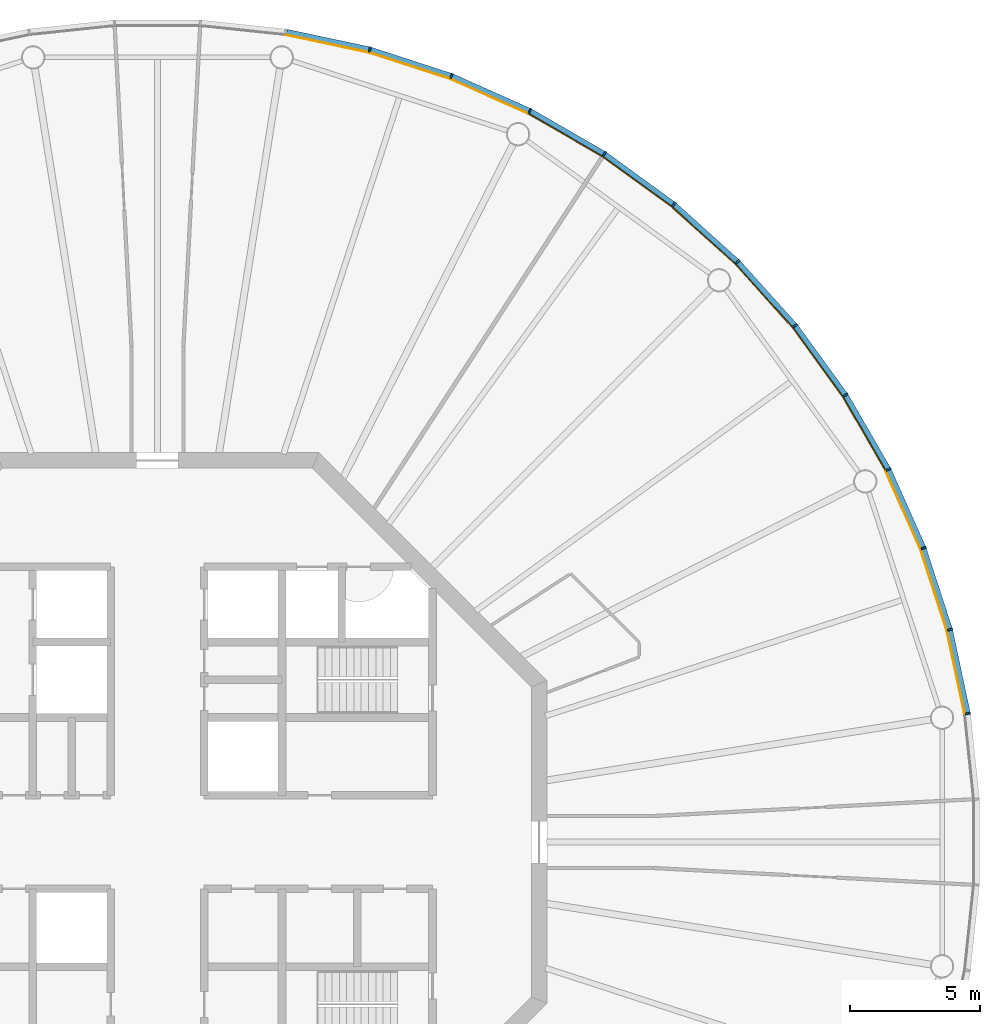
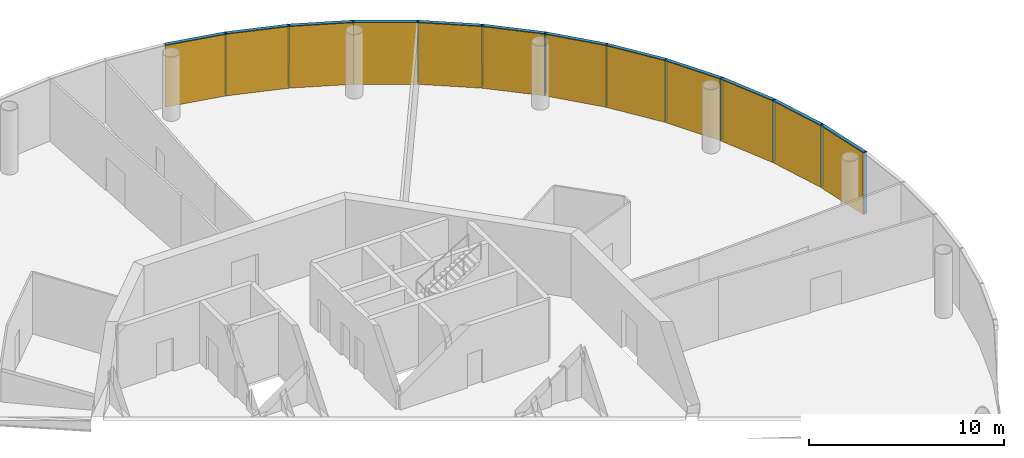
# One storey, part 12 of 13: 24 members, 4 curtain walls.
"""IFC4 building model written with IfcOpenShell, lengths in metres."""

from ifc_helpers import new_model, si_unit, direction, frame, origin, origin_2d, place, context, subcontext, project, spatial, polyline, rectangle, outline, extrude, material, layer, layer_set, material_profile, profile_set, type_object, element, aggregate, save


model = new_model("IFC4")

# Units and contexts
model_context = context("Model", 3, precision=1e-05, world=origin(), true_north=direction((0.0, 1.0)))
body_context = subcontext(model_context, "Body", "Model", "MODEL_VIEW")
ifc_project = project(units=[si_unit("LENGTHUNIT", "METRE"), si_unit("AREAUNIT", "SQUARE_METRE"), si_unit("VOLUMEUNIT", "CUBIC_METRE"), si_unit("PLANEANGLEUNIT", "RADIAN"), si_unit("MASSUNIT", "GRAM", prefix="KILO")], contexts=[model_context])

# Member
ifc_material_1 = material(Name="Anodised aluminium", Category="aluminium")
ifc_material_profile_1 = material_profile(ifc_material_1, rectangle(XDim=0.070068359375, YDim=0.205078125, at=origin_2d()), Name="Mullion 70 x 205 mm anodised aluminium")
ifc_profile_set_1 = profile_set([ifc_material_profile_1], Name="Anodised aluminium")
member_type_1 = type_object("IfcMemberType", Name="Mullion 70 x 205 mm anodised aluminium", PredefinedType="MULLION", material=ifc_profile_set_1)
site_placement = place(None, origin())
building_placement = place(site_placement, origin())
storey_placement = place(building_placement, frame((0.0, 0.0, 376.0)))
member_1_placement = place(storey_placement, frame((121.21337890625, 84.943603515625, 0.0), z_axis=(0.0, 0.0, 1.0), x_axis=(-0.15643446504, 0.987688340595, 0.0)))
member_1 = element("IfcMember", 1, at=member_1_placement, type_object=member_type_1, Name="MULLION L87-00", PredefinedType="MULLION", context=body_context, shape_type="SweptSolid", body=[
    extrude(rectangle(XDim=0.070068359375, YDim=0.205078125, at=origin_2d()), origin(), (0.0, 0.0, 1.0), 3.85009765625),
])

member_2_placement = place(storey_placement, frame((120.525634765625, 88.179443359375, 0.0), z_axis=(0.0, 0.0, 1.0), x_axis=(-0.258819045103, 0.965925826289, 0.0)))
member_2 = element("IfcMember", 2, at=member_2_placement, type_object=member_type_1, Name="MULLION L87-01", PredefinedType="MULLION", context=body_context, shape_type="SweptSolid", body=[
    extrude(rectangle(XDim=0.070068359375, YDim=0.205078125, at=origin_2d()), origin(), (0.0, 0.0, 1.0), 3.85009765625),
])

member_3_placement = place(storey_placement, frame((119.50341796875, 91.325439453125, 0.0), z_axis=(0.0, 0.0, 1.0), x_axis=(-0.358367949545, 0.933580426497, 0.0)))
member_3 = element("IfcMember", 3, at=member_3_placement, type_object=member_type_1, Name="MULLION L87-02", PredefinedType="MULLION", context=body_context, shape_type="SweptSolid", body=[
    extrude(rectangle(XDim=0.070068359375, YDim=0.205078125, at=origin_2d()), origin(), (0.0, 0.0, 1.0), 3.85009765625),
])

member_4_placement = place(storey_placement, frame((118.157958984375, 94.34716796875, 0.0), z_axis=(0.0, 0.0, 1.0), x_axis=(-0.45399049974, 0.891006524188, 0.0)))
member_4 = element("IfcMember", 4, at=member_4_placement, type_object=member_type_1, Name="MULLION L87-03", PredefinedType="MULLION", context=body_context, shape_type="SweptSolid", body=[
    extrude(rectangle(XDim=0.070068359375, YDim=0.205078125, at=origin_2d()), origin(), (0.0, 0.0, 1.0), 3.85009765625),
])

member_5_placement = place(storey_placement, frame((116.504150390625, 97.2119140625, 0.0), z_axis=(0.0, 0.0, 1.0), x_axis=(-0.544639035015, 0.838670567945, 0.0)))
member_5 = element("IfcMember", 5, at=member_5_placement, type_object=member_type_1, Name="MULLION L87-04", PredefinedType="MULLION", context=body_context, shape_type="SweptSolid", body=[
    extrude(rectangle(XDim=0.070068359375, YDim=0.205078125, at=origin_2d()), origin(), (0.0, 0.0, 1.0), 3.85009765625),
])

member_6_placement = place(storey_placement, frame((114.559814453125, 99.88818359375, 0.0), z_axis=(0.0, 0.0, 1.0), x_axis=(-0.62932039105, 0.777145961457, 0.0)))
member_6 = element("IfcMember", 6, at=member_6_placement, type_object=member_type_1, Name="MULLION L87-05", PredefinedType="MULLION", context=body_context, shape_type="SweptSolid", body=[
    extrude(rectangle(XDim=0.070068359375, YDim=0.205078125, at=origin_2d()), origin(), (0.0, 0.0, 1.0), 3.85009765625),
])

member_7_placement = place(storey_placement, frame((112.346435546875, 102.346435546875, 0.0), z_axis=(0.0, 0.0, 1.0), x_axis=(-0.707106781187, 0.707106781187, 0.0)))
member_7 = element("IfcMember", 7, at=member_7_placement, type_object=member_type_1, Name="MULLION L87-06", PredefinedType="MULLION", context=body_context, shape_type="SweptSolid", body=[
    extrude(rectangle(XDim=0.070068359375, YDim=0.205078125, at=origin_2d()), origin(), (0.0, 0.0, 1.0), 3.85009765625),
])

member_8_placement = place(storey_placement, frame((109.88818359375, 104.559814453125, 0.0), z_axis=(0.0, 0.0, 1.0), x_axis=(-0.777145961457, 0.62932039105, 0.0)))
member_8 = element("IfcMember", 8, at=member_8_placement, type_object=member_type_1, Name="MULLION L87-07", PredefinedType="MULLION", context=body_context, shape_type="SweptSolid", body=[
    extrude(rectangle(XDim=0.070068359375, YDim=0.205078125, at=origin_2d()), origin(), (0.0, 0.0, 1.0), 3.85009765625),
])

member_9_placement = place(storey_placement, frame((107.2119140625, 106.504150390625, 0.0), z_axis=(0.0, 0.0, 1.0), x_axis=(-0.838670567945, 0.544639035015, 0.0)))
member_9 = element("IfcMember", 9, at=member_9_placement, type_object=member_type_1, Name="MULLION L87-08", PredefinedType="MULLION", context=body_context, shape_type="SweptSolid", body=[
    extrude(rectangle(XDim=0.070068359375, YDim=0.205078125, at=origin_2d()), origin(), (0.0, 0.0, 1.0), 3.85009765625),
])

member_10_placement = place(storey_placement, frame((104.34716796875, 108.157958984375, 0.0), z_axis=(0.0, 0.0, 1.0), x_axis=(-0.891006524188, 0.45399049974, 0.0)))
member_10 = element("IfcMember", 10, at=member_10_placement, type_object=member_type_1, Name="MULLION L87-09", PredefinedType="MULLION", context=body_context, shape_type="SweptSolid", body=[
    extrude(rectangle(XDim=0.070068359375, YDim=0.205078125, at=origin_2d()), origin(), (0.0, 0.0, 1.0), 3.85009765625),
])

member_11_placement = place(storey_placement, frame((101.325439453125, 109.50341796875, 0.0), z_axis=(0.0, 0.0, 1.0), x_axis=(-0.933580426497, 0.358367949545, 0.0)))
member_11 = element("IfcMember", 11, at=member_11_placement, type_object=member_type_1, Name="MULLION L87-10", PredefinedType="MULLION", context=body_context, shape_type="SweptSolid", body=[
    extrude(rectangle(XDim=0.070068359375, YDim=0.205078125, at=origin_2d()), origin(), (0.0, 0.0, 1.0), 3.85009765625),
])

member_12_placement = place(storey_placement, frame((98.179443359375, 110.525634765625, 0.0), z_axis=(0.0, 0.0, 1.0), x_axis=(-0.965925826289, 0.258819045103, 0.0)))
member_12 = element("IfcMember", 12, at=member_12_placement, type_object=member_type_1, Name="MULLION L87-11", PredefinedType="MULLION", context=body_context, shape_type="SweptSolid", body=[
    extrude(rectangle(XDim=0.070068359375, YDim=0.205078125, at=origin_2d()), origin(), (0.0, 0.0, 1.0), 3.85009765625),
])

ifc_material_2 = material(Name="Anodised aluminium", Category="aluminium")
ifc_material_profile_2 = material_profile(ifc_material_2, rectangle(XDim=0.205078125, YDim=0.195068359375, at=origin_2d()), Name="Transom 195 x 205 mm anodised aluminium")
ifc_profile_set_2 = profile_set([ifc_material_profile_2], Name="Anodised aluminium")
member_type_2 = type_object("IfcMemberType", Name="Transom 195 x 205 mm anodised aluminium", PredefinedType="USERDEFINED", material=ifc_profile_set_2)
member_13_placement = place(storey_placement, frame((121.205078125, 84.983154296875, 3.75244140625), z_axis=(-0.207885898771, 0.978153082647, 0.0), x_axis=(-0.978153082647, -0.207885898771, 0.0)))
member_13 = element("IfcMember", 13, at=member_13_placement, type_object=member_type_2, Name="TRANSOM L87-00", ObjectType="TRANSOM", PredefinedType="USERDEFINED", context=body_context, shape_type="SweptSolid", body=[
    extrude(rectangle(XDim=0.205078125, YDim=0.195068359375, at=origin_2d()), origin(), (0.0, 0.0, 1.0), 3.227294921875),
])

member_14_placement = place(storey_placement, frame((120.513427734375, 88.2177734375, 3.75244140625), z_axis=(-0.309046726844, 0.951046855117, 0.0), x_axis=(-0.951046855117, -0.309046726844, 0.0)))
member_14 = element("IfcMember", 14, at=member_14_placement, type_object=member_type_2, Name="TRANSOM L87-01", ObjectType="TRANSOM", PredefinedType="USERDEFINED", context=body_context, shape_type="SweptSolid", body=[
    extrude(rectangle(XDim=0.205078125, YDim=0.195068359375, at=origin_2d()), origin(), (0.0, 0.0, 1.0), 3.22705078125),
])

member_15_placement = place(storey_placement, frame((119.4873046875, 91.3623046875, 3.75244140625), z_axis=(-0.406791170024, 0.913521178731, 0.0), x_axis=(-0.913521178731, -0.406791170024, 0.0)))
member_15 = element("IfcMember", 15, at=member_15_placement, type_object=member_type_2, Name="TRANSOM L87-02", ObjectType="TRANSOM", PredefinedType="USERDEFINED", context=body_context, shape_type="SweptSolid", body=[
    extrude(rectangle(XDim=0.205078125, YDim=0.195068359375, at=origin_2d()), origin(), (0.0, 0.0, 1.0), 3.22705078125),
])

member_16_placement = place(storey_placement, frame((118.137939453125, 94.38232421875, 3.75244140625), z_axis=(-0.500004055213, 0.866023062494, 0.0), x_axis=(-0.866023062494, -0.500004055213, 0.0)))
member_16 = element("IfcMember", 16, at=member_16_placement, type_object=member_type_2, Name="TRANSOM L87-03", ObjectType="TRANSOM", PredefinedType="USERDEFINED", context=body_context, shape_type="SweptSolid", body=[
    extrude(rectangle(XDim=0.205078125, YDim=0.195068359375, at=origin_2d()), origin(), (0.0, 0.0, 1.0), 3.22705078125),
])

member_17_placement = place(storey_placement, frame((116.48046875, 97.24462890625, 3.75244140625), z_axis=(-0.587802790201, 0.809004252048, 0.0), x_axis=(-0.809004252048, -0.587802790201, 0.0)))
member_17 = element("IfcMember", 17, at=member_17_placement, type_object=member_type_2, Name="TRANSOM L87-04", ObjectType="TRANSOM", PredefinedType="USERDEFINED", context=body_context, shape_type="SweptSolid", body=[
    extrude(rectangle(XDim=0.205078125, YDim=0.195068359375, at=origin_2d()), origin(), (0.0, 0.0, 1.0), 3.227294921875),
])

member_18_placement = place(storey_placement, frame((114.532958984375, 99.918212890625, 3.75244140625), z_axis=(-0.669144438484, 0.743132370743, 0.0), x_axis=(-0.743132370743, -0.669144438484, 0.0)))
member_18 = element("IfcMember", 18, at=member_18_placement, type_object=member_type_2, Name="TRANSOM L87-05", ObjectType="TRANSOM", PredefinedType="USERDEFINED", context=body_context, shape_type="SweptSolid", body=[
    extrude(rectangle(XDim=0.205078125, YDim=0.195068359375, at=origin_2d()), origin(), (0.0, 0.0, 1.0), 3.22705078125),
])

member_19_placement = place(storey_placement, frame((112.31640625, 102.37353515625, 3.75244140625), z_axis=(-0.743132370743, 0.669144438484, 0.0), x_axis=(-0.669144438484, -0.743132370743, 0.0)))
member_19 = element("IfcMember", 19, at=member_19_placement, type_object=member_type_2, Name="TRANSOM L87-06", ObjectType="TRANSOM", PredefinedType="USERDEFINED", context=body_context, shape_type="SweptSolid", body=[
    extrude(rectangle(XDim=0.205078125, YDim=0.195068359375, at=origin_2d()), origin(), (0.0, 0.0, 1.0), 3.22705078125),
])

member_20_placement = place(storey_placement, frame((109.85546875, 104.58349609375, 3.75244140625), z_axis=(-0.809004252048, 0.587802790201, 0.0), x_axis=(-0.587802790201, -0.809004252048, 0.0)))
member_20 = element("IfcMember", 20, at=member_20_placement, type_object=member_type_2, Name="TRANSOM L87-07", ObjectType="TRANSOM", PredefinedType="USERDEFINED", context=body_context, shape_type="SweptSolid", body=[
    extrude(rectangle(XDim=0.205078125, YDim=0.195068359375, at=origin_2d()), origin(), (0.0, 0.0, 1.0), 3.227294921875),
])

member_21_placement = place(storey_placement, frame((107.177001953125, 106.5244140625, 3.75244140625), z_axis=(-0.866023062494, 0.500004055213, 0.0), x_axis=(-0.500004055213, -0.866023062494, 0.0)))
member_21 = element("IfcMember", 21, at=member_21_placement, type_object=member_type_2, Name="TRANSOM L87-08", ObjectType="TRANSOM", PredefinedType="USERDEFINED", context=body_context, shape_type="SweptSolid", body=[
    extrude(rectangle(XDim=0.205078125, YDim=0.195068359375, at=origin_2d()), origin(), (0.0, 0.0, 1.0), 3.22705078125),
])

member_22_placement = place(storey_placement, frame((104.310302734375, 108.174560546875, 3.75244140625), z_axis=(-0.913521178731, 0.406791170024, 0.0), x_axis=(-0.406791170024, -0.913521178731, 0.0)))
member_22 = element("IfcMember", 22, at=member_22_placement, type_object=member_type_2, Name="TRANSOM L87-09", ObjectType="TRANSOM", PredefinedType="USERDEFINED", context=body_context, shape_type="SweptSolid", body=[
    extrude(rectangle(XDim=0.205078125, YDim=0.195068359375, at=origin_2d()), origin(), (0.0, 0.0, 1.0), 3.22705078125),
])

member_23_placement = place(storey_placement, frame((101.286865234375, 109.51611328125, 3.75244140625), z_axis=(-0.951046855117, 0.309046726844, 0.0), x_axis=(-0.309046726844, -0.951046855117, 0.0)))
member_23 = element("IfcMember", 23, at=member_23_placement, type_object=member_type_2, Name="TRANSOM L87-10", ObjectType="TRANSOM", PredefinedType="USERDEFINED", context=body_context, shape_type="SweptSolid", body=[
    extrude(rectangle(XDim=0.205078125, YDim=0.195068359375, at=origin_2d()), origin(), (0.0, 0.0, 1.0), 3.22705078125),
])

member_24_placement = place(storey_placement, frame((98.139892578125, 110.5341796875, 3.75244140625), z_axis=(-0.978153082647, 0.207885898771, 0.0), x_axis=(-0.207885898771, -0.978153082647, 0.0)))
member_24 = element("IfcMember", 24, at=member_24_placement, type_object=member_type_2, Name="TRANSOM L87-11", ObjectType="TRANSOM", PredefinedType="USERDEFINED", context=body_context, shape_type="SweptSolid", body=[
    extrude(rectangle(XDim=0.205078125, YDim=0.195068359375, at=origin_2d()), origin(), (0.0, 0.0, 1.0), 3.227294921875),
])

# Site, building, storey
site = spatial("IfcSite", under=ifc_project, at=site_placement, CompositionType="ELEMENT")
building = spatial("IfcBuilding", under=site, at=building_placement, Name="Entoto Ring Tower", CompositionType="ELEMENT")
storey = spatial("IfcBuildingStorey", under=building, at=storey_placement, Name="L87", CompositionType="ELEMENT", Elevation=376.0)

# Curtain wall
ifc_material_3 = material(Name="Clear low-iron glass", Category="glass")
ifc_layer = layer(ifc_material_3, 0.035888671875)
ifc_layer_set = layer_set([ifc_layer], Name="Clear low-iron glass")
curtain_wall_type = type_object("IfcCurtainWallType", Name="Curtain wall system CW6 glazing 36 mm", PredefinedType="NOTDEFINED", material=ifc_layer_set)
curtain_wall_1_placement = place(storey_placement, origin())
curtain_wall_1 = element("IfcCurtainWall", 25, at=curtain_wall_1_placement, inside=storey, type_object=curtain_wall_type, Name="CW6 L87-01", PredefinedType="NOTDEFINED", context=body_context, shape_type="SweptSolid", body=[
    extrude(outline(polyline([(121.1123046875, 84.927734375), (120.4267578125, 88.15283203125), (119.40771484375, 91.28857421875), (118.066650390625, 94.30078125), (118.03466796875, 94.284423828125), (119.3740234375, 91.275634765625), (120.391845703125, 88.1435546875), (121.07666015625, 84.922119140625), (121.1123046875, 84.927734375)])), origin(), (0.0, 0.0, 1.0), 3.85009765625),
])

aggregate(curtain_wall_1, [member_1, member_2, member_3, member_13, member_14, member_15])

curtain_wall_2_placement = place(storey_placement, origin())
curtain_wall_2 = element("IfcCurtainWall", 26, at=curtain_wall_2_placement, inside=storey, type_object=curtain_wall_type, Name="CW6 L87-02", PredefinedType="NOTDEFINED", context=body_context, shape_type="SweptSolid", body=[
    extrude(outline(polyline([(118.066650390625, 94.30078125), (116.418212890625, 97.15625), (114.47998046875, 99.823486328125), (112.27392578125, 102.27392578125), (112.248291015625, 102.248291015625), (114.4521484375, 99.801025390625), (116.387939453125, 97.136474609375), (118.03466796875, 94.284423828125), (118.066650390625, 94.30078125)])), origin(), (0.0, 0.0, 1.0), 3.85009765625),
])

aggregate(curtain_wall_2, [member_4, member_5, member_6, member_16, member_17, member_18])

curtain_wall_3_placement = place(storey_placement, origin())
curtain_wall_3 = element("IfcCurtainWall", 27, at=curtain_wall_3_placement, inside=storey, type_object=curtain_wall_type, Name="CW6 L87-03", PredefinedType="NOTDEFINED", context=body_context, shape_type="SweptSolid", body=[
    extrude(outline(polyline([(112.27392578125, 102.27392578125), (109.823486328125, 104.47998046875), (107.15625, 106.418212890625), (104.30078125, 108.066650390625), (104.284423828125, 108.03466796875), (107.136474609375, 106.387939453125), (109.801025390625, 104.4521484375), (112.248291015625, 102.248291015625), (112.27392578125, 102.27392578125)])), origin(), (0.0, 0.0, 1.0), 3.85009765625),
])

aggregate(curtain_wall_3, [member_7, member_8, member_9, member_19, member_20, member_21])

curtain_wall_4_placement = place(storey_placement, origin())
curtain_wall_4 = element("IfcCurtainWall", 28, at=curtain_wall_4_placement, inside=storey, type_object=curtain_wall_type, Name="CW6 L87-04", PredefinedType="NOTDEFINED", context=body_context, shape_type="SweptSolid", body=[
    extrude(outline(polyline([(104.30078125, 108.066650390625), (101.28857421875, 109.40771484375), (98.15283203125, 110.4267578125), (94.927734375, 111.1123046875), (94.922119140625, 111.07666015625), (98.1435546875, 110.391845703125), (101.275634765625, 109.3740234375), (104.284423828125, 108.03466796875), (104.30078125, 108.066650390625)])), origin(), (0.0, 0.0, 1.0), 3.85009765625),
])

aggregate(curtain_wall_4, [member_10, member_11, member_12, member_22, member_23, member_24])

save(model, "model.ifc")
